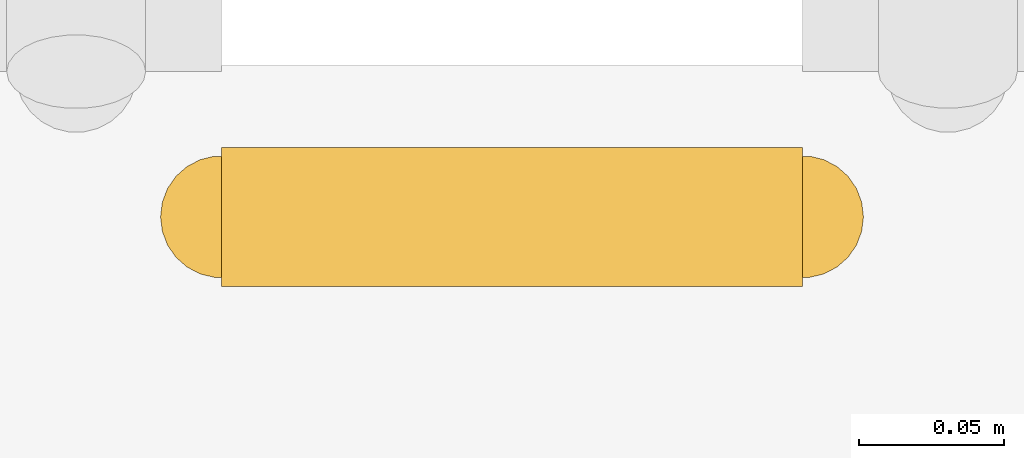
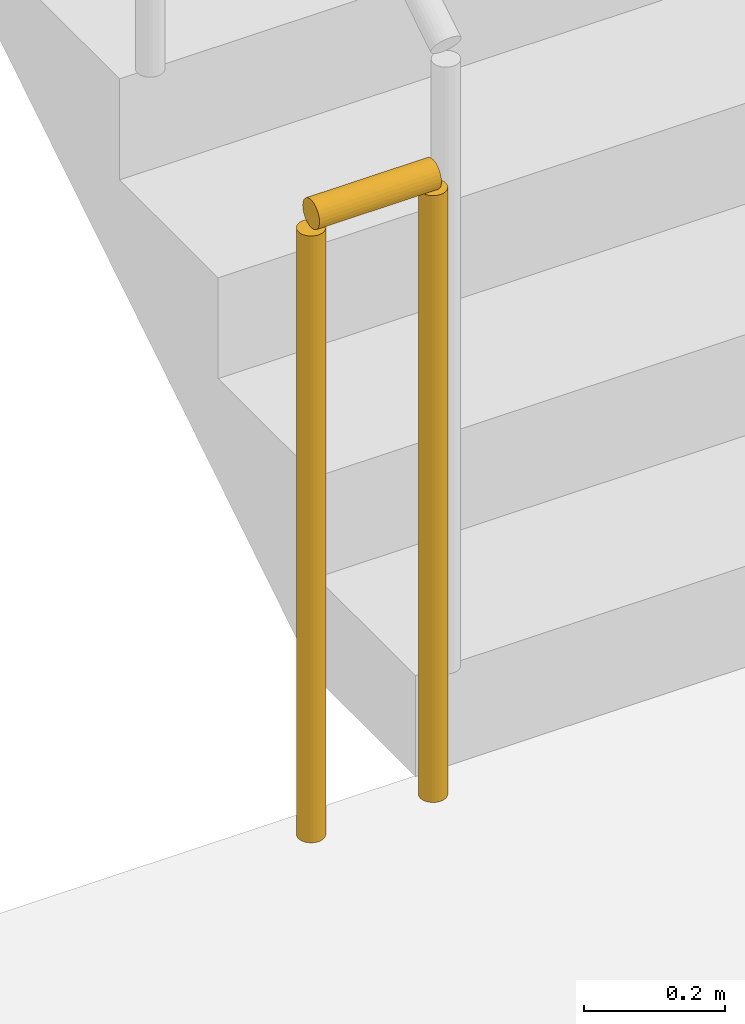
# One storey, part 11 of 22: 1 railing.
"""IFC4 building model written with IfcOpenShell, lengths in metres."""

from ifc_helpers import new_model, si_unit, direction, frame, origin, origin_2d, place, context, subcontext, project, spatial, circle, extrude, material, type_object, element, save


model = new_model("IFC4")

# Units and contexts
model_context = context("Model", 3, precision=1e-05, world=origin(), true_north=direction((0.0, 1.0)))
body_context = subcontext(model_context, "Body", "Model", "MODEL_VIEW")
ifc_project = project(units=[si_unit("LENGTHUNIT", "METRE"), si_unit("AREAUNIT", "SQUARE_METRE"), si_unit("VOLUMEUNIT", "CUBIC_METRE"), si_unit("PLANEANGLEUNIT", "RADIAN"), si_unit("MASSUNIT", "GRAM", prefix="KILO")], contexts=[model_context])

# Site, building, storey
site_placement = place(None, origin())
site = spatial("IfcSite", under=ifc_project, at=site_placement, CompositionType="ELEMENT")
building_placement = place(site_placement, origin())
building = spatial("IfcBuilding", under=site, at=building_placement, Name="Kiln Ring Residences", CompositionType="ELEMENT")
storey_placement = place(building_placement, frame((0.0, 0.0, 167.60009765625)))
storey = spatial("IfcBuildingStorey", under=building, at=storey_placement, Name="L43", CompositionType="ELEMENT", Elevation=167.60009765625)

# Railing
ifc_material = material(Name="Stainless steel", Category="steel")
railing_type = type_object("IfcRailingType", Name="CORE-STAIR-GUARD", PredefinedType="GUARDRAIL", material=ifc_material)
railing_placement = place(storey_placement, frame((-22.0, -8.449951171875, 0.0)))
element("IfcRailing", 1, at=railing_placement, inside=storey, type_object=railing_type, Name="L43 W-STS stair guard 4", PredefinedType="GUARDRAIL", context=body_context, shape_type="SweptSolid", body=[
    extrude(circle(Radius=0.02392578125, at=origin_2d()), frame((0.0, 0.0, 1.076171875), z_axis=(-1.0, 0.0, 0.0), x_axis=(0.0, -1.0, 0.0)), (0.0, 0.0, 1.0), 0.199951171875),
    extrude(circle(Radius=0.02099609375, at=origin_2d()), origin(), (0.0, 0.0, 1.0), 1.052001953125),
    extrude(circle(Radius=0.02099609375, at=origin_2d()), frame((-0.199951171875, 0.0, 0.0)), (0.0, 0.0, 1.0), 1.052001953125),
])

save(model, "model.ifc")
